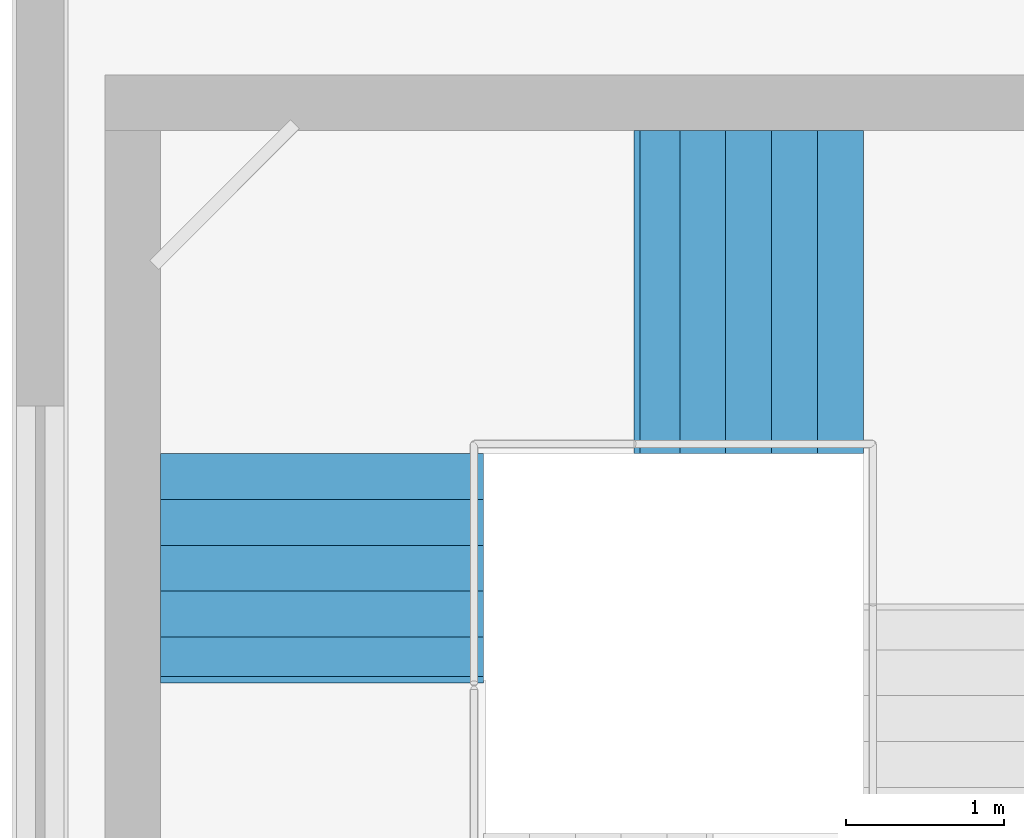
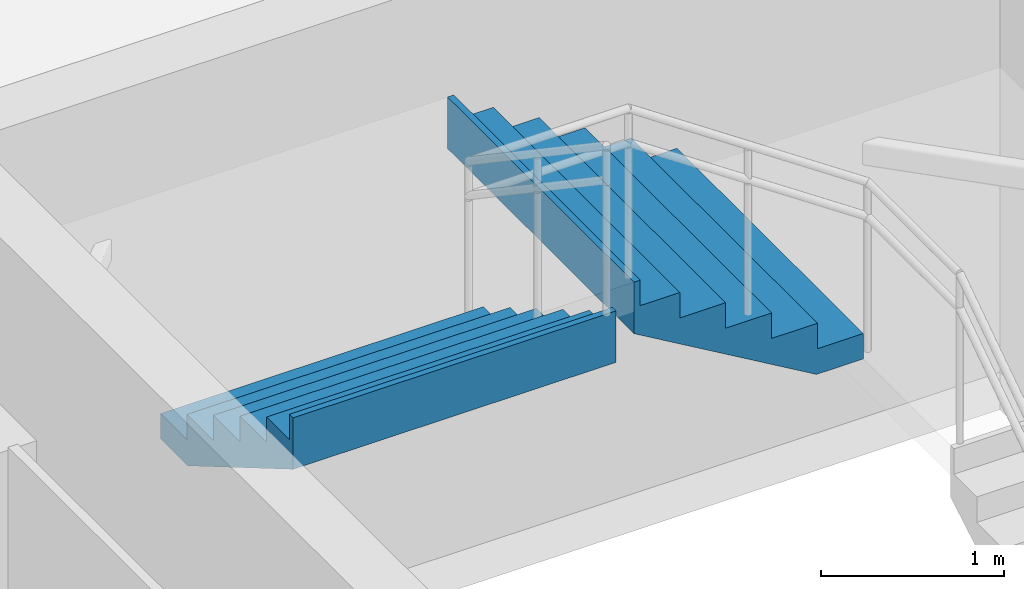
# One storey, part 51 of 53: 2 stair flights, 1 element without a shape of its own.
"""IFC4 building model written with IfcOpenShell, lengths in metres."""

from ifc_helpers import new_model, si_unit, direction, frame, origin, place, context, subcontext, project, spatial, triangles, material, type_object, element, aggregate, save


model = new_model("IFC4")

# Units and contexts
model_context = context("Model", 3, precision=1e-05, world=origin(), true_north=direction((0.0, 1.0)))
body_context = subcontext(model_context, "Body", "Model", "MODEL_VIEW")
ifc_project = project(units=[si_unit("LENGTHUNIT", "METRE"), si_unit("AREAUNIT", "SQUARE_METRE"), si_unit("VOLUMEUNIT", "CUBIC_METRE"), si_unit("PLANEANGLEUNIT", "RADIAN"), si_unit("MASSUNIT", "GRAM", prefix="KILO")], contexts=[model_context])

# Site, building, storey
site_placement = place(None, origin())
site = spatial("IfcSite", under=ifc_project, at=site_placement, CompositionType="ELEMENT")
building_placement = place(site_placement, origin())
building = spatial("IfcBuilding", under=site, at=building_placement, Name="Sillaruma Civic Art Gallery", CompositionType="ELEMENT")
storey_placement = place(building_placement, frame((0.0, 0.0, 70.3798828125)))
storey = spatial("IfcBuildingStorey", under=building, at=storey_placement, Name="L14", CompositionType="ELEMENT", Elevation=70.3798828125)

# Stair, stair flights
ifc_material = material(Name="Concrete H35 (35 MPa)", Category="concrete")
stair_type = type_object("IfcStairType", Name="STR-4F-24", PredefinedType="USERDEFINED", material=ifc_material)
stair_placement = place(storey_placement, origin())
stair = element("IfcStair", 1, at=stair_placement, inside=storey, type_object=stair_type, Name="Protected Exit Stair ST-02 (West Bar North) (L14)", ObjectType="THREE_RETURN_STAIR", PredefinedType="USERDEFINED")
stair_flight_type = type_object("IfcStairFlightType", Name="SFL-STR-6", PredefinedType="STRAIGHT", material=ifc_material)
stair_flight_1_placement = place(storey_placement, frame((67.199951171875, 86.3701171875, 2.0400390625), z_axis=(0.0, 0.0, 1.0), x_axis=(-1.0, 0.0, 0.0)))
stair_flight_1 = element("IfcStairFlight", 2, at=stair_flight_1_placement, type_object=stair_flight_type, Name="ST-02 flight 3", NumberOfRisers=6, NumberOfTreads=5, PredefinedType="STRAIGHT", RiserHeight=0.17, TreadLength=0.29, context=body_context, shape_type="Tessellation", body=[
    triangles([(0.0, -1.02001953125, 0.0), (0.29, -1.02001953125, 0.0), (0.296365, -1.02001953125, 0.0), (0.58, -1.02001953125, 0.166269), (0.87, -1.02001953125, 0.336269), (1.16, -1.02001953125, 0.506269), (1.409951, -1.02001953125, 0.652792), (1.449951, -1.02001953125, 0.67624), (1.449951, -1.02001953125, 1.02), (1.409951, -1.02001953125, 1.02), (1.409951, -1.02001953125, 0.85), (1.16, -1.02001953125, 0.85), (1.16, -1.02001953125, 0.68), (0.87, -1.02001953125, 0.68), (0.87, -1.02001953125, 0.51), (0.58, -1.02001953125, 0.51), (0.58, -1.02001953125, 0.34), (0.296365, -1.02001953125, 0.34), (0.29, -1.02001953125, 0.34), (0.29, -1.02001953125, 0.17), (0.0, -1.02001953125, 0.17), (0.0, -0.05, 0.0), (0.29, -0.05, 0.0), (0.296365, -0.05, 0.0), (0.58, -0.05, 0.166269), (0.87, -0.05, 0.336269), (1.16, -0.05, 0.506269), (1.409951, -0.05, 0.652792), (1.449951, -0.05, 0.67624), (1.449951, -0.05, 1.02), (1.409951, -0.05, 1.02), (1.409951, -0.05, 0.85), (1.16, -0.05, 0.85), (1.16, -0.05, 0.68), (0.87, -0.05, 0.68), (0.87, -0.05, 0.51), (0.58, -0.05, 0.51), (0.58, -0.05, 0.34), (0.296365, -0.05, 0.34), (0.29, -0.05, 0.34), (0.29, -0.05, 0.17), (0.0, -0.05, 0.17), (0.0, -0.0375, 0.0), (0.29, -0.0375, 0.0), (0.296365, -0.0375, 0.0), (0.58, -0.0375, 0.166269), (0.87, -0.0375, 0.336269), (1.16, -0.0375, 0.506269), (1.409951, -0.0375, 0.652792), (1.449951, -0.0375, 0.67624), (1.449951, -0.0375, 1.02), (1.409951, -0.0375, 1.02), (1.409951, -0.0375, 0.85), (1.16, -0.0375, 0.85), (1.16, -0.0375, 0.68), (0.87, -0.0375, 0.68), (0.87, -0.0375, 0.51), (0.58, -0.0375, 0.51), (0.58, -0.0375, 0.34), (0.296365, -0.0375, 0.34), (0.29, -0.0375, 0.34), (0.29, -0.0375, 0.17), (0.0, -0.0375, 0.17), (0.0, -0.025, 0.0), (0.29, -0.025, 0.0), (0.296365, -0.025, 0.0), (0.58, -0.025, 0.166269), (0.87, -0.025, 0.336269), (1.16, -0.025, 0.506269), (1.409951, -0.025, 0.652792), (1.449951, -0.025, 0.67624), (1.449951, -0.025, 1.02), (1.409951, -0.025, 1.02), (1.409951, -0.025, 0.85), (1.16, -0.025, 0.85), (1.16, -0.025, 0.68), (0.87, -0.025, 0.68), (0.87, -0.025, 0.51), (0.58, -0.025, 0.51), (0.58, -0.025, 0.34), (0.296365, -0.025, 0.34), (0.29, -0.025, 0.34), (0.29, -0.025, 0.17), (0.0, -0.025, 0.17), (0.0, -0.0125, 0.0), (0.29, -0.0125, 0.0), (0.296365, -0.0125, 0.0), (0.58, -0.0125, 0.166269), (0.87, -0.0125, 0.336269), (1.16, -0.0125, 0.506269), (1.409951, -0.0125, 0.652792), (1.449951, -0.0125, 0.67624), (1.449951, -0.0125, 1.02), (1.409951, -0.0125, 1.02), (1.409951, -0.0125, 0.85), (1.16, -0.0125, 0.85), (1.16, -0.0125, 0.68), (0.87, -0.0125, 0.68), (0.87, -0.0125, 0.51), (0.58, -0.0125, 0.51), (0.58, -0.0125, 0.34), (0.296365, -0.0125, 0.34), (0.29, -0.0125, 0.34), (0.29, -0.0125, 0.17), (0.0, -0.0125, 0.17), (0.0, 0.0, 0.0), (0.29, 0.0, 0.0), (0.296365, 0.0, 0.0), (0.58, 0.0, 0.166269), (0.87, 0.0, 0.336269), (1.16, 0.0, 0.506269), (1.409951, 0.0, 0.652792), (1.449951, 0.0, 0.67624), (1.449951, 0.0, 1.02), (1.409951, 0.0, 1.02), (1.409951, 0.0, 0.85), (1.16, 0.0, 0.85), (1.16, 0.0, 0.68), (0.87, 0.0, 0.68), (0.87, 0.0, 0.51), (0.58, 0.0, 0.51), (0.58, 0.0, 0.34), (0.296365, 0.0, 0.34), (0.29, 0.0, 0.34), (0.29, 0.0, 0.17), (0.0, 0.0, 0.17), (0.0, 0.0125, 0.0), (0.29, 0.0125, 0.0), (0.296365, 0.0125, 0.0), (0.58, 0.0125, 0.166269), (0.87, 0.0125, 0.336269), (1.16, 0.0125, 0.506269), (1.409951, 0.0125, 0.652792), (1.449951, 0.0125, 0.67624), (1.449951, 0.0125, 1.02), (1.409951, 0.0125, 1.02), (1.409951, 0.0125, 0.85), (1.16, 0.0125, 0.85), (1.16, 0.0125, 0.68), (0.87, 0.0125, 0.68), (0.87, 0.0125, 0.51), (0.58, 0.0125, 0.51), (0.58, 0.0125, 0.34), (0.296365, 0.0125, 0.34), (0.29, 0.0125, 0.34), (0.29, 0.0125, 0.17), (0.0, 0.0125, 0.17), (0.0, 0.025, 0.0), (0.29, 0.025, 0.0), (0.296365, 0.025, 0.0), (0.58, 0.025, 0.166269), (0.87, 0.025, 0.336269), (1.16, 0.025, 0.506269), (1.409951, 0.025, 0.652792), (1.449951, 0.025, 0.67624), (1.449951, 0.025, 1.02), (1.409951, 0.025, 1.02), (1.409951, 0.025, 0.85), (1.16, 0.025, 0.85), (1.16, 0.025, 0.68), (0.87, 0.025, 0.68), (0.87, 0.025, 0.51), (0.58, 0.025, 0.51), (0.58, 0.025, 0.34), (0.296365, 0.025, 0.34), (0.29, 0.025, 0.34), (0.29, 0.025, 0.17), (0.0, 0.025, 0.17), (0.0, 0.0375, 0.0), (0.29, 0.0375, 0.0), (0.296365, 0.0375, 0.0), (0.58, 0.0375, 0.166269), (0.87, 0.0375, 0.336269), (1.16, 0.0375, 0.506269), (1.409951, 0.0375, 0.652792), (1.449951, 0.0375, 0.67624), (1.449951, 0.0375, 1.02), (1.409951, 0.0375, 1.02), (1.409951, 0.0375, 0.85), (1.16, 0.0375, 0.85), (1.16, 0.0375, 0.68), (0.87, 0.0375, 0.68), (0.87, 0.0375, 0.51), (0.58, 0.0375, 0.51), (0.58, 0.0375, 0.34), (0.296365, 0.0375, 0.34), (0.29, 0.0375, 0.34), (0.29, 0.0375, 0.17), (0.0, 0.0375, 0.17), (0.0, 0.05, 0.0), (0.29, 0.05, 0.0), (0.296365, 0.05, 0.0), (0.58, 0.05, 0.166269), (0.87, 0.05, 0.336269), (1.16, 0.05, 0.506269), (1.409951, 0.05, 0.652792), (1.449951, 0.05, 0.67624), (1.449951, 0.05, 1.02), (1.409951, 0.05, 1.02), (1.409951, 0.05, 0.85), (1.16, 0.05, 0.85), (1.16, 0.05, 0.68), (0.87, 0.05, 0.68), (0.87, 0.05, 0.51), (0.58, 0.05, 0.51), (0.58, 0.05, 0.34), (0.296365, 0.05, 0.34), (0.29, 0.05, 0.34), (0.29, 0.05, 0.17), (0.0, 0.05, 0.17), (0.0, 1.02001953125, 0.0), (0.29, 1.02001953125, 0.0), (0.296365, 1.02001953125, 0.0), (0.58, 1.02001953125, 0.166269), (0.87, 1.02001953125, 0.336269), (1.16, 1.02001953125, 0.506269), (1.409951, 1.02001953125, 0.652792), (1.449951, 1.02001953125, 0.67624), (1.449951, 1.02001953125, 1.02), (1.409951, 1.02001953125, 1.02), (1.409951, 1.02001953125, 0.85), (1.16, 1.02001953125, 0.85), (1.16, 1.02001953125, 0.68), (0.87, 1.02001953125, 0.68), (0.87, 1.02001953125, 0.51), (0.58, 1.02001953125, 0.51), (0.58, 1.02001953125, 0.34), (0.296365, 1.02001953125, 0.34), (0.29, 1.02001953125, 0.34), (0.29, 1.02001953125, 0.17), (0.0, 1.02001953125, 0.17)], [[1, 2, 20], [1, 20, 21], [2, 3, 18], [2, 18, 20], [20, 18, 19], [3, 4, 17], [3, 17, 18], [4, 5, 15], [4, 15, 17], [17, 15, 16], [5, 6, 13], [5, 13, 15], [15, 13, 14], [6, 7, 11], [6, 11, 13], [13, 11, 12], [7, 8, 9], [7, 9, 11], [11, 9, 10], [230, 212, 211], [231, 230, 211], [228, 213, 212], [230, 228, 212], [229, 228, 230], [227, 214, 213], [228, 227, 213], [225, 215, 214], [227, 225, 214], [226, 225, 227], [223, 216, 215], [225, 223, 215], [224, 223, 225], [221, 217, 216], [223, 221, 216], [222, 221, 223], [219, 218, 217], [221, 219, 217], [220, 219, 221], [2, 1, 22], [2, 22, 23], [3, 2, 23], [3, 23, 24], [4, 3, 24], [4, 24, 25], [5, 4, 25], [5, 25, 26], [6, 5, 26], [6, 26, 27], [7, 6, 27], [7, 27, 28], [8, 7, 28], [8, 28, 29], [9, 8, 29], [9, 29, 30], [10, 9, 30], [10, 30, 31], [11, 10, 31], [11, 31, 32], [12, 11, 32], [12, 32, 33], [13, 12, 33], [13, 33, 34], [14, 13, 34], [14, 34, 35], [15, 14, 35], [15, 35, 36], [16, 15, 36], [16, 36, 37], [17, 16, 37], [17, 37, 38], [18, 17, 38], [18, 38, 39], [19, 18, 39], [19, 39, 40], [20, 19, 40], [20, 40, 41], [21, 20, 41], [21, 41, 42], [1, 21, 42], [1, 42, 22], [23, 22, 43], [23, 43, 44], [24, 23, 44], [24, 44, 45], [25, 24, 45], [25, 45, 46], [26, 25, 46], [26, 46, 47], [27, 26, 47], [27, 47, 48], [28, 27, 48], [28, 48, 49], [29, 28, 49], [29, 49, 50], [30, 29, 50], [30, 50, 51], [31, 30, 51], [31, 51, 52], [32, 31, 52], [32, 52, 53], [33, 32, 53], [33, 53, 54], [34, 33, 54], [34, 54, 55], [35, 34, 55], [35, 55, 56], [36, 35, 56], [36, 56, 57], [37, 36, 57], [37, 57, 58], [38, 37, 58], [38, 58, 59], [39, 38, 59], [39, 59, 60], [40, 39, 60], [40, 60, 61], [41, 40, 61], [41, 61, 62], [42, 41, 62], [42, 62, 63], [22, 42, 63], [22, 63, 43], [44, 43, 64], [44, 64, 65], [45, 44, 65], [45, 65, 66], [46, 45, 66], [46, 66, 67], [47, 46, 67], [47, 67, 68], [48, 47, 68], [48, 68, 69], [49, 48, 69], [49, 69, 70], [50, 49, 70], [50, 70, 71], [51, 50, 71], [51, 71, 72], [52, 51, 72], [52, 72, 73], [53, 52, 73], [53, 73, 74], [54, 53, 74], [54, 74, 75], [55, 54, 75], [55, 75, 76], [56, 55, 76], [56, 76, 77], [57, 56, 77], [57, 77, 78], [58, 57, 78], [58, 78, 79], [59, 58, 79], [59, 79, 80], [60, 59, 80], [60, 80, 81], [61, 60, 81], [61, 81, 82], [62, 61, 82], [62, 82, 83], [63, 62, 83], [63, 83, 84], [43, 63, 84], [43, 84, 64], [65, 64, 85], [65, 85, 86], [66, 65, 86], [66, 86, 87], [67, 66, 87], [67, 87, 88], [68, 67, 88], [68, 88, 89], [69, 68, 89], [69, 89, 90], [70, 69, 90], [70, 90, 91], [71, 70, 91], [71, 91, 92], [72, 71, 92], [72, 92, 93], [73, 72, 93], [73, 93, 94], [74, 73, 94], [74, 94, 95], [75, 74, 95], [75, 95, 96], [76, 75, 96], [76, 96, 97], [77, 76, 97], [77, 97, 98], [78, 77, 98], [78, 98, 99], [79, 78, 99], [79, 99, 100], [80, 79, 100], [80, 100, 101], [81, 80, 101], [81, 101, 102], [82, 81, 102], [82, 102, 103], [83, 82, 103], [83, 103, 104], [84, 83, 104], [84, 104, 105], [64, 84, 105], [64, 105, 85], [86, 85, 106], [86, 106, 107], [87, 86, 107], [87, 107, 108], [88, 87, 108], [88, 108, 109], [89, 88, 109], [89, 109, 110], [90, 89, 110], [90, 110, 111], [91, 90, 111], [91, 111, 112], [92, 91, 112], [92, 112, 113], [93, 92, 113], [93, 113, 114], [94, 93, 114], [94, 114, 115], [95, 94, 115], [95, 115, 116], [96, 95, 116], [96, 116, 117], [97, 96, 117], [97, 117, 118], [98, 97, 118], [98, 118, 119], [99, 98, 119], [99, 119, 120], [100, 99, 120], [100, 120, 121], [101, 100, 121], [101, 121, 122], [102, 101, 122], [102, 122, 123], [103, 102, 123], [103, 123, 124], [104, 103, 124], [104, 124, 125], [105, 104, 125], [105, 125, 126], [85, 105, 126], [85, 126, 106], [107, 106, 127], [107, 127, 128], [108, 107, 128], [108, 128, 129], [109, 108, 129], [109, 129, 130], [110, 109, 130], [110, 130, 131], [111, 110, 131], [111, 131, 132], [112, 111, 132], [112, 132, 133], [113, 112, 133], [113, 133, 134], [114, 113, 134], [114, 134, 135], [115, 114, 135], [115, 135, 136], [116, 115, 136], [116, 136, 137], [117, 116, 137], [117, 137, 138], [118, 117, 138], [118, 138, 139], [119, 118, 139], [119, 139, 140], [120, 119, 140], [120, 140, 141], [121, 120, 141], [121, 141, 142], [122, 121, 142], [122, 142, 143], [123, 122, 143], [123, 143, 144], [124, 123, 144], [124, 144, 145], [125, 124, 145], [125, 145, 146], [126, 125, 146], [126, 146, 147], [106, 126, 147], [106, 147, 127], [128, 127, 148], [128, 148, 149], [129, 128, 149], [129, 149, 150], [130, 129, 150], [130, 150, 151], [131, 130, 151], [131, 151, 152], [132, 131, 152], [132, 152, 153], [133, 132, 153], [133, 153, 154], [134, 133, 154], [134, 154, 155], [135, 134, 155], [135, 155, 156], [136, 135, 156], [136, 156, 157], [137, 136, 157], [137, 157, 158], [138, 137, 158], [138, 158, 159], [139, 138, 159], [139, 159, 160], [140, 139, 160], [140, 160, 161], [141, 140, 161], [141, 161, 162], [142, 141, 162], [142, 162, 163], [143, 142, 163], [143, 163, 164], [144, 143, 164], [144, 164, 165], [145, 144, 165], [145, 165, 166], [146, 145, 166], [146, 166, 167], [147, 146, 167], [147, 167, 168], [127, 147, 168], [127, 168, 148], [149, 148, 169], [149, 169, 170], [150, 149, 170], [150, 170, 171], [151, 150, 171], [151, 171, 172], [152, 151, 172], [152, 172, 173], [153, 152, 173], [153, 173, 174], [154, 153, 174], [154, 174, 175], [155, 154, 175], [155, 175, 176], [156, 155, 176], [156, 176, 177], [157, 156, 177], [157, 177, 178], [158, 157, 178], [158, 178, 179], [159, 158, 179], [159, 179, 180], [160, 159, 180], [160, 180, 181], [161, 160, 181], [161, 181, 182], [162, 161, 182], [162, 182, 183], [163, 162, 183], [163, 183, 184], [164, 163, 184], [164, 184, 185], [165, 164, 185], [165, 185, 186], [166, 165, 186], [166, 186, 187], [167, 166, 187], [167, 187, 188], [168, 167, 188], [168, 188, 189], [148, 168, 189], [148, 189, 169], [170, 169, 190], [170, 190, 191], [171, 170, 191], [171, 191, 192], [172, 171, 192], [172, 192, 193], [173, 172, 193], [173, 193, 194], [174, 173, 194], [174, 194, 195], [175, 174, 195], [175, 195, 196], [176, 175, 196], [176, 196, 197], [177, 176, 197], [177, 197, 198], [178, 177, 198], [178, 198, 199], [179, 178, 199], [179, 199, 200], [180, 179, 200], [180, 200, 201], [181, 180, 201], [181, 201, 202], [182, 181, 202], [182, 202, 203], [183, 182, 203], [183, 203, 204], [184, 183, 204], [184, 204, 205], [185, 184, 205], [185, 205, 206], [186, 185, 206], [186, 206, 207], [187, 186, 207], [187, 207, 208], [188, 187, 208], [188, 208, 209], [189, 188, 209], [189, 209, 210], [169, 189, 210], [169, 210, 190], [191, 190, 211], [191, 211, 212], [192, 191, 212], [192, 212, 213], [193, 192, 213], [193, 213, 214], [194, 193, 214], [194, 214, 215], [195, 194, 215], [195, 215, 216], [196, 195, 216], [196, 216, 217], [197, 196, 217], [197, 217, 218], [198, 197, 218], [198, 218, 219], [199, 198, 219], [199, 219, 220], [200, 199, 220], [200, 220, 221], [201, 200, 221], [201, 221, 222], [202, 201, 222], [202, 222, 223], [203, 202, 223], [203, 223, 224], [204, 203, 224], [204, 224, 225], [205, 204, 225], [205, 225, 226], [206, 205, 226], [206, 226, 227], [207, 206, 227], [207, 227, 228], [208, 207, 228], [208, 228, 229], [209, 208, 229], [209, 229, 230], [210, 209, 230], [210, 230, 231], [190, 210, 231], [190, 231, 211]], closed=True),
])
stair_flight_2_placement = place(storey_placement, frame((63.780029296875, 85.35009765625, 3.06005859375), z_axis=(0.0, 0.0, 1.0), x_axis=(0.0, -1.0, 0.0)))
stair_flight_2 = element("IfcStairFlight", 3, at=stair_flight_2_placement, type_object=stair_flight_type, Name="ST-02 flight 4", NumberOfRisers=6, NumberOfTreads=5, PredefinedType="STRAIGHT", RiserHeight=0.17, TreadLength=0.29, context=body_context, shape_type="Tessellation", body=[
    triangles([(0.0, -1.02001953125, 0.0), (0.29, -1.02001953125, 0.0), (0.296365, -1.02001953125, 0.0), (0.58, -1.02001953125, 0.166269), (0.87, -1.02001953125, 0.336269), (1.16, -1.02001953125, 0.506269), (1.409951, -1.02001953125, 0.652792), (1.449951, -1.02001953125, 0.67624), (1.449951, -1.02001953125, 1.02), (1.409951, -1.02001953125, 1.02), (1.409951, -1.02001953125, 0.85), (1.16, -1.02001953125, 0.85), (1.16, -1.02001953125, 0.68), (0.87, -1.02001953125, 0.68), (0.87, -1.02001953125, 0.51), (0.58, -1.02001953125, 0.51), (0.58, -1.02001953125, 0.34), (0.296365, -1.02001953125, 0.34), (0.29, -1.02001953125, 0.34), (0.29, -1.02001953125, 0.17), (0.0, -1.02001953125, 0.17), (0.0, -0.05, 0.0), (0.29, -0.05, 0.0), (0.296365, -0.05, 0.0), (0.58, -0.05, 0.166269), (0.87, -0.05, 0.336269), (1.16, -0.05, 0.506269), (1.409951, -0.05, 0.652792), (1.449951, -0.05, 0.67624), (1.449951, -0.05, 1.02), (1.409951, -0.05, 1.02), (1.409951, -0.05, 0.85), (1.16, -0.05, 0.85), (1.16, -0.05, 0.68), (0.87, -0.05, 0.68), (0.87, -0.05, 0.51), (0.58, -0.05, 0.51), (0.58, -0.05, 0.34), (0.296365, -0.05, 0.34), (0.29, -0.05, 0.34), (0.29, -0.05, 0.17), (0.0, -0.05, 0.17), (0.0, -0.0375, 0.0), (0.29, -0.0375, 0.0), (0.296365, -0.0375, 0.0), (0.58, -0.0375, 0.166269), (0.87, -0.0375, 0.336269), (1.16, -0.0375, 0.506269), (1.409951, -0.0375, 0.652792), (1.449951, -0.0375, 0.67624), (1.449951, -0.0375, 1.02), (1.409951, -0.0375, 1.02), (1.409951, -0.0375, 0.85), (1.16, -0.0375, 0.85), (1.16, -0.0375, 0.68), (0.87, -0.0375, 0.68), (0.87, -0.0375, 0.51), (0.58, -0.0375, 0.51), (0.58, -0.0375, 0.34), (0.296365, -0.0375, 0.34), (0.29, -0.0375, 0.34), (0.29, -0.0375, 0.17), (0.0, -0.0375, 0.17), (0.0, -0.025, 0.0), (0.29, -0.025, 0.0), (0.296365, -0.025, 0.0), (0.58, -0.025, 0.166269), (0.87, -0.025, 0.336269), (1.16, -0.025, 0.506269), (1.409951, -0.025, 0.652792), (1.449951, -0.025, 0.67624), (1.449951, -0.025, 1.02), (1.409951, -0.025, 1.02), (1.409951, -0.025, 0.85), (1.16, -0.025, 0.85), (1.16, -0.025, 0.68), (0.87, -0.025, 0.68), (0.87, -0.025, 0.51), (0.58, -0.025, 0.51), (0.58, -0.025, 0.34), (0.296365, -0.025, 0.34), (0.29, -0.025, 0.34), (0.29, -0.025, 0.17), (0.0, -0.025, 0.17), (0.0, -0.0125, 0.0), (0.29, -0.0125, 0.0), (0.296365, -0.0125, 0.0), (0.58, -0.0125, 0.166269), (0.87, -0.0125, 0.336269), (1.16, -0.0125, 0.506269), (1.409951, -0.0125, 0.652792), (1.449951, -0.0125, 0.67624), (1.449951, -0.0125, 1.02), (1.409951, -0.0125, 1.02), (1.409951, -0.0125, 0.85), (1.16, -0.0125, 0.85), (1.16, -0.0125, 0.68), (0.87, -0.0125, 0.68), (0.87, -0.0125, 0.51), (0.58, -0.0125, 0.51), (0.58, -0.0125, 0.34), (0.296365, -0.0125, 0.34), (0.29, -0.0125, 0.34), (0.29, -0.0125, 0.17), (0.0, -0.0125, 0.17), (0.0, 0.0, 0.0), (0.29, 0.0, 0.0), (0.296365, 0.0, 0.0), (0.58, 0.0, 0.166269), (0.87, 0.0, 0.336269), (1.16, 0.0, 0.506269), (1.409951, 0.0, 0.652792), (1.449951, 0.0, 0.67624), (1.449951, 0.0, 1.02), (1.409951, 0.0, 1.02), (1.409951, 0.0, 0.85), (1.16, 0.0, 0.85), (1.16, 0.0, 0.68), (0.87, 0.0, 0.68), (0.87, 0.0, 0.51), (0.58, 0.0, 0.51), (0.58, 0.0, 0.34), (0.296365, 0.0, 0.34), (0.29, 0.0, 0.34), (0.29, 0.0, 0.17), (0.0, 0.0, 0.17), (0.0, 0.0125, 0.0), (0.29, 0.0125, 0.0), (0.296365, 0.0125, 0.0), (0.58, 0.0125, 0.166269), (0.87, 0.0125, 0.336269), (1.16, 0.0125, 0.506269), (1.409951, 0.0125, 0.652792), (1.449951, 0.0125, 0.67624), (1.449951, 0.0125, 1.02), (1.409951, 0.0125, 1.02), (1.409951, 0.0125, 0.85), (1.16, 0.0125, 0.85), (1.16, 0.0125, 0.68), (0.87, 0.0125, 0.68), (0.87, 0.0125, 0.51), (0.58, 0.0125, 0.51), (0.58, 0.0125, 0.34), (0.296365, 0.0125, 0.34), (0.29, 0.0125, 0.34), (0.29, 0.0125, 0.17), (0.0, 0.0125, 0.17), (0.0, 0.025, 0.0), (0.29, 0.025, 0.0), (0.296365, 0.025, 0.0), (0.58, 0.025, 0.166269), (0.87, 0.025, 0.336269), (1.16, 0.025, 0.506269), (1.409951, 0.025, 0.652792), (1.449951, 0.025, 0.67624), (1.449951, 0.025, 1.02), (1.409951, 0.025, 1.02), (1.409951, 0.025, 0.85), (1.16, 0.025, 0.85), (1.16, 0.025, 0.68), (0.87, 0.025, 0.68), (0.87, 0.025, 0.51), (0.58, 0.025, 0.51), (0.58, 0.025, 0.34), (0.296365, 0.025, 0.34), (0.29, 0.025, 0.34), (0.29, 0.025, 0.17), (0.0, 0.025, 0.17), (0.0, 0.0375, 0.0), (0.29, 0.0375, 0.0), (0.296365, 0.0375, 0.0), (0.58, 0.0375, 0.166269), (0.87, 0.0375, 0.336269), (1.16, 0.0375, 0.506269), (1.409951, 0.0375, 0.652792), (1.449951, 0.0375, 0.67624), (1.449951, 0.0375, 1.02), (1.409951, 0.0375, 1.02), (1.409951, 0.0375, 0.85), (1.16, 0.0375, 0.85), (1.16, 0.0375, 0.68), (0.87, 0.0375, 0.68), (0.87, 0.0375, 0.51), (0.58, 0.0375, 0.51), (0.58, 0.0375, 0.34), (0.296365, 0.0375, 0.34), (0.29, 0.0375, 0.34), (0.29, 0.0375, 0.17), (0.0, 0.0375, 0.17), (0.0, 0.05, 0.0), (0.29, 0.05, 0.0), (0.296365, 0.05, 0.0), (0.58, 0.05, 0.166269), (0.87, 0.05, 0.336269), (1.16, 0.05, 0.506269), (1.409951, 0.05, 0.652792), (1.449951, 0.05, 0.67624), (1.449951, 0.05, 1.02), (1.409951, 0.05, 1.02), (1.409951, 0.05, 0.85), (1.16, 0.05, 0.85), (1.16, 0.05, 0.68), (0.87, 0.05, 0.68), (0.87, 0.05, 0.51), (0.58, 0.05, 0.51), (0.58, 0.05, 0.34), (0.296365, 0.05, 0.34), (0.29, 0.05, 0.34), (0.29, 0.05, 0.17), (0.0, 0.05, 0.17), (0.0, 1.02001953125, 0.0), (0.29, 1.02001953125, 0.0), (0.296365, 1.02001953125, 0.0), (0.58, 1.02001953125, 0.166269), (0.87, 1.02001953125, 0.336269), (1.16, 1.02001953125, 0.506269), (1.409951, 1.02001953125, 0.652792), (1.449951, 1.02001953125, 0.67624), (1.449951, 1.02001953125, 1.02), (1.409951, 1.02001953125, 1.02), (1.409951, 1.02001953125, 0.85), (1.16, 1.02001953125, 0.85), (1.16, 1.02001953125, 0.68), (0.87, 1.02001953125, 0.68), (0.87, 1.02001953125, 0.51), (0.58, 1.02001953125, 0.51), (0.58, 1.02001953125, 0.34), (0.296365, 1.02001953125, 0.34), (0.29, 1.02001953125, 0.34), (0.29, 1.02001953125, 0.17), (0.0, 1.02001953125, 0.17)], [[1, 2, 20], [1, 20, 21], [2, 3, 18], [2, 18, 20], [20, 18, 19], [3, 4, 17], [3, 17, 18], [4, 5, 15], [4, 15, 17], [17, 15, 16], [5, 6, 13], [5, 13, 15], [15, 13, 14], [6, 7, 11], [6, 11, 13], [13, 11, 12], [7, 8, 9], [7, 9, 11], [11, 9, 10], [230, 212, 211], [231, 230, 211], [228, 213, 212], [230, 228, 212], [229, 228, 230], [227, 214, 213], [228, 227, 213], [225, 215, 214], [227, 225, 214], [226, 225, 227], [223, 216, 215], [225, 223, 215], [224, 223, 225], [221, 217, 216], [223, 221, 216], [222, 221, 223], [219, 218, 217], [221, 219, 217], [220, 219, 221], [2, 1, 22], [2, 22, 23], [3, 2, 23], [3, 23, 24], [4, 3, 24], [4, 24, 25], [5, 4, 25], [5, 25, 26], [6, 5, 26], [6, 26, 27], [7, 6, 27], [7, 27, 28], [8, 7, 28], [8, 28, 29], [9, 8, 29], [9, 29, 30], [10, 9, 30], [10, 30, 31], [11, 10, 31], [11, 31, 32], [12, 11, 32], [12, 32, 33], [13, 12, 33], [13, 33, 34], [14, 13, 34], [14, 34, 35], [15, 14, 35], [15, 35, 36], [16, 15, 36], [16, 36, 37], [17, 16, 37], [17, 37, 38], [18, 17, 38], [18, 38, 39], [19, 18, 39], [19, 39, 40], [20, 19, 40], [20, 40, 41], [21, 20, 41], [21, 41, 42], [1, 21, 42], [1, 42, 22], [23, 22, 43], [23, 43, 44], [24, 23, 44], [24, 44, 45], [25, 24, 45], [25, 45, 46], [26, 25, 46], [26, 46, 47], [27, 26, 47], [27, 47, 48], [28, 27, 48], [28, 48, 49], [29, 28, 49], [29, 49, 50], [30, 29, 50], [30, 50, 51], [31, 30, 51], [31, 51, 52], [32, 31, 52], [32, 52, 53], [33, 32, 53], [33, 53, 54], [34, 33, 54], [34, 54, 55], [35, 34, 55], [35, 55, 56], [36, 35, 56], [36, 56, 57], [37, 36, 57], [37, 57, 58], [38, 37, 58], [38, 58, 59], [39, 38, 59], [39, 59, 60], [40, 39, 60], [40, 60, 61], [41, 40, 61], [41, 61, 62], [42, 41, 62], [42, 62, 63], [22, 42, 63], [22, 63, 43], [44, 43, 64], [44, 64, 65], [45, 44, 65], [45, 65, 66], [46, 45, 66], [46, 66, 67], [47, 46, 67], [47, 67, 68], [48, 47, 68], [48, 68, 69], [49, 48, 69], [49, 69, 70], [50, 49, 70], [50, 70, 71], [51, 50, 71], [51, 71, 72], [52, 51, 72], [52, 72, 73], [53, 52, 73], [53, 73, 74], [54, 53, 74], [54, 74, 75], [55, 54, 75], [55, 75, 76], [56, 55, 76], [56, 76, 77], [57, 56, 77], [57, 77, 78], [58, 57, 78], [58, 78, 79], [59, 58, 79], [59, 79, 80], [60, 59, 80], [60, 80, 81], [61, 60, 81], [61, 81, 82], [62, 61, 82], [62, 82, 83], [63, 62, 83], [63, 83, 84], [43, 63, 84], [43, 84, 64], [65, 64, 85], [65, 85, 86], [66, 65, 86], [66, 86, 87], [67, 66, 87], [67, 87, 88], [68, 67, 88], [68, 88, 89], [69, 68, 89], [69, 89, 90], [70, 69, 90], [70, 90, 91], [71, 70, 91], [71, 91, 92], [72, 71, 92], [72, 92, 93], [73, 72, 93], [73, 93, 94], [74, 73, 94], [74, 94, 95], [75, 74, 95], [75, 95, 96], [76, 75, 96], [76, 96, 97], [77, 76, 97], [77, 97, 98], [78, 77, 98], [78, 98, 99], [79, 78, 99], [79, 99, 100], [80, 79, 100], [80, 100, 101], [81, 80, 101], [81, 101, 102], [82, 81, 102], [82, 102, 103], [83, 82, 103], [83, 103, 104], [84, 83, 104], [84, 104, 105], [64, 84, 105], [64, 105, 85], [86, 85, 106], [86, 106, 107], [87, 86, 107], [87, 107, 108], [88, 87, 108], [88, 108, 109], [89, 88, 109], [89, 109, 110], [90, 89, 110], [90, 110, 111], [91, 90, 111], [91, 111, 112], [92, 91, 112], [92, 112, 113], [93, 92, 113], [93, 113, 114], [94, 93, 114], [94, 114, 115], [95, 94, 115], [95, 115, 116], [96, 95, 116], [96, 116, 117], [97, 96, 117], [97, 117, 118], [98, 97, 118], [98, 118, 119], [99, 98, 119], [99, 119, 120], [100, 99, 120], [100, 120, 121], [101, 100, 121], [101, 121, 122], [102, 101, 122], [102, 122, 123], [103, 102, 123], [103, 123, 124], [104, 103, 124], [104, 124, 125], [105, 104, 125], [105, 125, 126], [85, 105, 126], [85, 126, 106], [107, 106, 127], [107, 127, 128], [108, 107, 128], [108, 128, 129], [109, 108, 129], [109, 129, 130], [110, 109, 130], [110, 130, 131], [111, 110, 131], [111, 131, 132], [112, 111, 132], [112, 132, 133], [113, 112, 133], [113, 133, 134], [114, 113, 134], [114, 134, 135], [115, 114, 135], [115, 135, 136], [116, 115, 136], [116, 136, 137], [117, 116, 137], [117, 137, 138], [118, 117, 138], [118, 138, 139], [119, 118, 139], [119, 139, 140], [120, 119, 140], [120, 140, 141], [121, 120, 141], [121, 141, 142], [122, 121, 142], [122, 142, 143], [123, 122, 143], [123, 143, 144], [124, 123, 144], [124, 144, 145], [125, 124, 145], [125, 145, 146], [126, 125, 146], [126, 146, 147], [106, 126, 147], [106, 147, 127], [128, 127, 148], [128, 148, 149], [129, 128, 149], [129, 149, 150], [130, 129, 150], [130, 150, 151], [131, 130, 151], [131, 151, 152], [132, 131, 152], [132, 152, 153], [133, 132, 153], [133, 153, 154], [134, 133, 154], [134, 154, 155], [135, 134, 155], [135, 155, 156], [136, 135, 156], [136, 156, 157], [137, 136, 157], [137, 157, 158], [138, 137, 158], [138, 158, 159], [139, 138, 159], [139, 159, 160], [140, 139, 160], [140, 160, 161], [141, 140, 161], [141, 161, 162], [142, 141, 162], [142, 162, 163], [143, 142, 163], [143, 163, 164], [144, 143, 164], [144, 164, 165], [145, 144, 165], [145, 165, 166], [146, 145, 166], [146, 166, 167], [147, 146, 167], [147, 167, 168], [127, 147, 168], [127, 168, 148], [149, 148, 169], [149, 169, 170], [150, 149, 170], [150, 170, 171], [151, 150, 171], [151, 171, 172], [152, 151, 172], [152, 172, 173], [153, 152, 173], [153, 173, 174], [154, 153, 174], [154, 174, 175], [155, 154, 175], [155, 175, 176], [156, 155, 176], [156, 176, 177], [157, 156, 177], [157, 177, 178], [158, 157, 178], [158, 178, 179], [159, 158, 179], [159, 179, 180], [160, 159, 180], [160, 180, 181], [161, 160, 181], [161, 181, 182], [162, 161, 182], [162, 182, 183], [163, 162, 183], [163, 183, 184], [164, 163, 184], [164, 184, 185], [165, 164, 185], [165, 185, 186], [166, 165, 186], [166, 186, 187], [167, 166, 187], [167, 187, 188], [168, 167, 188], [168, 188, 189], [148, 168, 189], [148, 189, 169], [170, 169, 190], [170, 190, 191], [171, 170, 191], [171, 191, 192], [172, 171, 192], [172, 192, 193], [173, 172, 193], [173, 193, 194], [174, 173, 194], [174, 194, 195], [175, 174, 195], [175, 195, 196], [176, 175, 196], [176, 196, 197], [177, 176, 197], [177, 197, 198], [178, 177, 198], [178, 198, 199], [179, 178, 199], [179, 199, 200], [180, 179, 200], [180, 200, 201], [181, 180, 201], [181, 201, 202], [182, 181, 202], [182, 202, 203], [183, 182, 203], [183, 203, 204], [184, 183, 204], [184, 204, 205], [185, 184, 205], [185, 205, 206], [186, 185, 206], [186, 206, 207], [187, 186, 207], [187, 207, 208], [188, 187, 208], [188, 208, 209], [189, 188, 209], [189, 209, 210], [169, 189, 210], [169, 210, 190], [191, 190, 211], [191, 211, 212], [192, 191, 212], [192, 212, 213], [193, 192, 213], [193, 213, 214], [194, 193, 214], [194, 214, 215], [195, 194, 215], [195, 215, 216], [196, 195, 216], [196, 216, 217], [197, 196, 217], [197, 217, 218], [198, 197, 218], [198, 218, 219], [199, 198, 219], [199, 219, 220], [200, 199, 220], [200, 220, 221], [201, 200, 221], [201, 221, 222], [202, 201, 222], [202, 222, 223], [203, 202, 223], [203, 223, 224], [204, 203, 224], [204, 224, 225], [205, 204, 225], [205, 225, 226], [206, 205, 226], [206, 226, 227], [207, 206, 227], [207, 227, 228], [208, 207, 228], [208, 228, 229], [209, 208, 229], [209, 229, 230], [210, 209, 230], [210, 230, 231], [190, 210, 231], [190, 231, 211]], closed=True),
])
aggregate(stair, [stair_flight_1, stair_flight_2])

save(model, "model.ifc")
